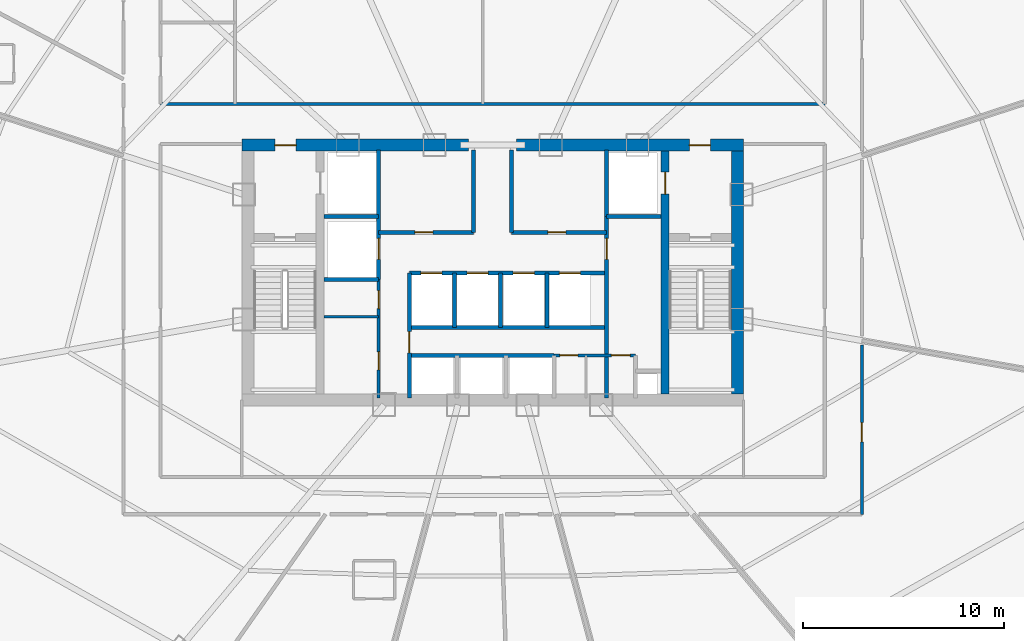
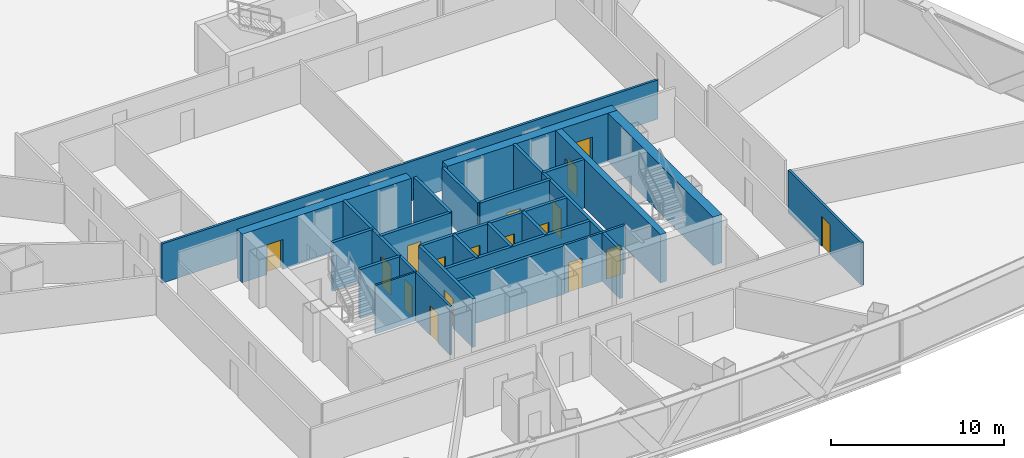
# One storey, part 36 of 42: 26 walls, 17 doors, 17 openings.
"""IFC4 building model written with IfcOpenShell, lengths in metres."""

import ifcopenshell
import ifcopenshell.guid

model = None  # the IFC model being written
_history = None  # IfcOwnerHistory: only IFC2X3 demands one
_inside = {}  # id of a spatial element -> (the spatial element, [elements in it])
_under = {}  # id of a project, library or spatial element -> (it, [spatial elements below it])
_declared = {}  # id of a project -> (the project, [libraries it declares])
_typed = {}  # id of a type object -> (the type object, [elements of that type])
_made_of = {}  # id of a material, layer set ... -> (it, [elements and type objects made of it])


def new_model(schema):
    """Start an empty IFC model of exactly this schema.

    Asked for "IFC4X3", IfcOpenShell would pick the latest addendum, in which some entities
    have other attributes; the version numbers below select the first issue.
    IFC2X3 requires an IfcOwnerHistory on every rooted entity: one is made here for all.
    """
    global model, _history
    if schema == "IFC4X3":
        model = ifcopenshell.file(schema_version=(4, 3, 0, 0))
    else:
        model = ifcopenshell.file(schema=schema)
    _inside.clear()
    _under.clear()
    _declared.clear()
    _typed.clear()
    _made_of.clear()
    _history = None
    if model.schema == "IFC2X3":
        org = make("IfcOrganization", Name="unknown")
        user = make(
            "IfcPersonAndOrganization",
            ThePerson=make("IfcPerson", FamilyName="unknown"),
            TheOrganization=org,
        )
        app = make(
            "IfcApplication",
            ApplicationDeveloper=org,
            Version="unknown",
            ApplicationFullName="unknown",
            ApplicationIdentifier="unknown",
        )
        _history = make(
            "IfcOwnerHistory",
            OwningUser=user,
            OwningApplication=app,
            ChangeAction="ADDED",
            CreationDate=0,
        )
    return model


def make(cls, **values):
    """One entity of the class cls with the attributes given. An attribute that is None is left unset."""
    return model.create_entity(
        cls, **{name: value for name, value in values.items() if value is not None}
    )


def rooted(cls, **values):
    """An entity with a GlobalId (a new one), such as an element, a storey or a relation."""
    return make(cls, GlobalId=ifcopenshell.guid.new(), OwnerHistory=_history, **values)


def si_unit(unit_type, name, prefix=None):
    """IfcSIUnit, for example si_unit("LENGTHUNIT", "METRE", prefix="MILLI")."""
    return make("IfcSIUnit", UnitType=unit_type, Prefix=prefix, Name=name)


def assignment(units):
    """IfcUnitAssignment: the units of a project."""
    return None if units is None else make("IfcUnitAssignment", Units=units)


def point(xyz):
    """IfcCartesianPoint."""
    return None if xyz is None else make("IfcCartesianPoint", Coordinates=xyz)


def direction(xyz):
    """IfcDirection."""
    return None if xyz is None else make("IfcDirection", DirectionRatios=xyz)


def frame(location, z_axis=None, x_axis=None):
    """IfcAxis2Placement3D, a coordinate frame: its origin and axes. An axis left out is left unset."""
    return make(
        "IfcAxis2Placement3D",
        Location=point(location),
        Axis=direction(z_axis),
        RefDirection=direction(x_axis),
    )


def frame_2d(location, x_axis=None):
    """IfcAxis2Placement2D, a coordinate frame in the plane: its origin and x axis."""
    return make(
        "IfcAxis2Placement2D", Location=point(location), RefDirection=direction(x_axis)
    )


def origin():
    """The frame at (0, 0, 0) with its axes left unset."""
    return frame((0.0, 0.0, 0.0))


def origin_with_axes():
    """The frame at (0, 0, 0) with the z axis (0, 0, 1) and the x axis (1, 0, 0) written out."""
    return frame((0.0, 0.0, 0.0), z_axis=(0.0, 0.0, 1.0), x_axis=(1.0, 0.0, 0.0))


def place(relative_to, where):
    """IfcLocalPlacement: puts the frame where relative to a parent placement (None: the world)."""
    return make(
        "IfcLocalPlacement", PlacementRelTo=relative_to, RelativePlacement=where
    )


def context(
    kind, dimensions, precision=None, world=None, true_north=None, identifier=None
):
    """IfcGeometricRepresentationContext, for example the 3D "Model" context."""
    return make(
        "IfcGeometricRepresentationContext",
        ContextIdentifier=identifier,
        ContextType=kind,
        CoordinateSpaceDimension=dimensions,
        Precision=precision,
        WorldCoordinateSystem=world,
        TrueNorth=true_north,
    )


def subcontext(parent, identifier, kind, view, scale=None):
    """IfcGeometricRepresentationSubContext, for example "Body" below "Model"."""
    return make(
        "IfcGeometricRepresentationSubContext",
        ContextIdentifier=identifier,
        ContextType=kind,
        ParentContext=parent,
        TargetScale=scale,
        TargetView=view,
    )


def project(units=None, contexts=None):
    """IfcProject with its units and contexts."""
    return rooted(
        "IfcProject",
        Name="project",
        RepresentationContexts=contexts,
        UnitsInContext=assignment(units),
    )


def spatial(cls, under=None, at=None, **own):
    """A site, building, storey or space (cls), placed at a placement, below another one or the project."""
    s = rooted(cls, ObjectPlacement=at, **own)
    if under is not None:
        _under.setdefault(under.id(), (under, []))[1].append(s)
    return s


def profile(cls, at=None, kind="AREA", **sizes):
    """A parametric profile (cls). Its sizes go by their IFC names, for example OverallWidth=200.0."""
    return make(cls, ProfileType=kind, Position=at, **sizes)


def rectangle(**sizes):
    """IfcRectangleProfileDef."""
    return profile("IfcRectangleProfileDef", **sizes)


def extrude(swept, where, along, depth):
    """IfcExtrudedAreaSolid: the profile swept, set in the frame where, extruded along a direction by depth."""
    return make(
        "IfcExtrudedAreaSolid",
        SweptArea=swept,
        Position=where,
        ExtrudedDirection=direction(along),
        Depth=depth,
    )


def shape(context_of_items, identifier, shape_type, items):
    """IfcShapeRepresentation: the items that make up one representation, for example the "Body"."""
    return make(
        "IfcShapeRepresentation",
        ContextOfItems=context_of_items,
        RepresentationIdentifier=identifier,
        RepresentationType=shape_type,
        Items=items,
    )


def source(mapping_origin, context_of_items, identifier, shape_type, items):
    """IfcRepresentationMap: a shape defined once, which mapped items show again and again."""
    return make(
        "IfcRepresentationMap",
        MappingOrigin=mapping_origin,
        MappedRepresentation=shape(context_of_items, identifier, shape_type, items),
    )


def transform(
    local_origin,
    x_axis=None,
    y_axis=None,
    z_axis=None,
    scale=None,
    scale2=None,
    scale3=None,
    uniform=True,
):
    """IfcCartesianTransformationOperator3D, or its non-uniform kind. x_axis, y_axis, z_axis: its Axis1, 2, 3."""
    if uniform:
        return make(
            "IfcCartesianTransformationOperator3D",
            Axis1=direction(x_axis),
            Axis2=direction(y_axis),
            LocalOrigin=point(local_origin),
            Scale=scale,
            Axis3=direction(z_axis),
        )
    return make(
        "IfcCartesianTransformationOperator3DnonUniform",
        Axis1=direction(x_axis),
        Axis2=direction(y_axis),
        LocalOrigin=point(local_origin),
        Scale=scale,
        Axis3=direction(z_axis),
        Scale2=scale2,
        Scale3=scale3,
    )


def mapped(mapping_source, mapping_target):
    """IfcMappedItem: shows the shape of a source again, moved by a transform."""
    return make(
        "IfcMappedItem", MappingSource=mapping_source, MappingTarget=mapping_target
    )


def material(Name=None, Category=None):
    """IfcMaterial."""
    return make("IfcMaterial", Name=Name, Category=Category)


def layer(
    of_material, thickness, ventilated=None, Name=None, Category=None, Priority=None
):
    """IfcMaterialLayer: one layer of a wall or slab, of a material (None: an air gap)."""
    return make(
        "IfcMaterialLayer",
        Material=of_material,
        LayerThickness=thickness,
        IsVentilated=ventilated,
        Name=Name,
        Category=Category,
        Priority=Priority,
    )


def layer_set(layers, Name=None):
    """IfcMaterialLayerSet."""
    return make("IfcMaterialLayerSet", MaterialLayers=layers, LayerSetName=Name)


def made_of(thing, what):
    """Note that an element or type object is made of a material, layer set ...; save() writes the relation."""
    if what is not None:
        _made_of.setdefault(what.id(), (what, []))[1].append(thing)
    return thing


def type_object(cls, material=None, **own):
    """A type object (cls), such as IfcWallType, which elements share."""
    return made_of(rooted(cls, **own), material)


def element(
    cls,
    number,
    at=None,
    inside=None,
    cuts=None,
    type_object=None,
    material=None,
    context=None,
    identifier="Body",
    shape_type=None,
    held_by="IfcProductDefinitionShape",
    body=None,
    shapes=None,
    **own,
):
    """One element of the class cls, such as IfcWall. Its Tag is "e" and its number.

    at: its placement. inside: the storey or other place that contains it. cuts: it is an
    opening in that element (IfcRelVoidsElement). A single representation is given by context,
    identifier, shape_type and body (its items); several are given by shapes. held_by: the class
    of the entity that holds the representations. save() writes the other relations.
    """
    e = rooted(cls, Tag="e%d" % number, ObjectPlacement=at, **own)
    if body is not None:
        shapes = [shape(context, identifier, shape_type, body)]
    if shapes is not None:
        e.Representation = make(held_by, Representations=shapes)
    if inside is not None:
        _inside.setdefault(inside.id(), (inside, []))[1].append(e)
    if cuts is not None:
        rooted(
            "IfcRelVoidsElement", RelatingBuildingElement=cuts, RelatedOpeningElement=e
        )
    if type_object is not None:
        _typed.setdefault(type_object.id(), (type_object, []))[1].append(e)
    return made_of(e, material)


def fill(opening, filler):
    """IfcRelFillsElement: the door or window that sits in an opening."""
    return rooted(
        "IfcRelFillsElement",
        RelatingOpeningElement=opening,
        RelatedBuildingElement=filler,
    )


def aggregate(whole, parts):
    """IfcRelAggregates: a whole, such as a stair, and the parts it consists of."""
    return rooted("IfcRelAggregates", RelatingObject=whole, RelatedObjects=parts)


def save(model, path):
    """Write the relations noted so far, then the file.

    IfcRelAggregates (storeys below a building ...), IfcRelContainedInSpatialStructure (elements
    in a storey), IfcRelDefinesByType, IfcRelAssociatesMaterial and IfcRelDeclares: one each for
    every whole, place, type object, material and project.
    """
    for whole, parts in _under.values():
        aggregate(whole, parts)
    for where, things in _inside.values():
        rooted(
            "IfcRelContainedInSpatialStructure",
            RelatedElements=things,
            RelatingStructure=where,
        )
    for kind, things in _typed.values():
        rooted("IfcRelDefinesByType", RelatedObjects=things, RelatingType=kind)
    for what, things in _made_of.values():
        rooted("IfcRelAssociatesMaterial", RelatedObjects=things, RelatingMaterial=what)
    for by, libraries in _declared.values():
        rooted("IfcRelDeclares", RelatingContext=by, RelatedDefinitions=libraries)
    model.write(path)


model = new_model("IFC4")

# Units and contexts
model_context = context("Model", 3, precision=1e-05, world=origin(), true_north=direction((0.0, 1.0)))
body_context = subcontext(model_context, "Body", "Model", "MODEL_VIEW")
ifc_project = project(units=[si_unit("LENGTHUNIT", "METRE"), si_unit("AREAUNIT", "SQUARE_METRE"), si_unit("VOLUMEUNIT", "CUBIC_METRE"), si_unit("PLANEANGLEUNIT", "RADIAN"), si_unit("MASSUNIT", "GRAM", prefix="KILO"), si_unit("THERMODYNAMICTEMPERATUREUNIT", "KELVIN"), si_unit("POWERUNIT", "WATT")], contexts=[model_context])

# Site, building, storey
site_placement = place(None, origin())
site = spatial("IfcSite", under=ifc_project, at=site_placement, CompositionType="ELEMENT")
building_placement = place(site_placement, origin())
building = spatial("IfcBuilding", under=site, at=building_placement, Name="Yunzhuo Pagoda Commons", CompositionType="ELEMENT")
storey_placement = place(building_placement, frame((0.0, 0.0, 151.909912109375)))
storey = spatial("IfcBuildingStorey", under=building, at=storey_placement, Name="L38", CompositionType="ELEMENT", Elevation=151.909912109375)

# Wall, opening, door
ifc_material_1 = material(Name="Concrete C60", Category="concrete")
ifc_layer_1 = layer(ifc_material_1, 0.60009765625)
ifc_layer_set_1 = layer_set([ifc_layer_1], Name="Concrete C60")
wall_type_1 = type_object("IfcWallType", Name="W-C02 Mid Core Shear Wall 600", PredefinedType="SHEAR", material=ifc_layer_set_1)
wall_1_placement = place(storey_placement, frame((35.5, 40.199951171875, 0.0), z_axis=(0.0, 0.0, 1.0), x_axis=(1.0, 0.0, 0.0)))
wall_1 = element("IfcWall", 1, at=wall_1_placement, inside=storey, type_object=wall_type_1, Name="L38 core shear wall NW", PredefinedType="SHEAR", context=body_context, shape_type="SweptSolid", body=[
    extrude(rectangle(XDim=11.300048828125, YDim=0.60009765625, at=frame_2d((5.64990234375, 0.0))), origin(), (0.0, 0.0, 1.0), 3.420166015625),
])
opening_1_placement = place(wall_1_placement, frame((1.64990234375, 0.0, 0.0)))
opening_1 = element("IfcOpeningElement", 2, at=opening_1_placement, cuts=wall_1, Name="Opening D-02", PredefinedType="OPENING", context=body_context, shape_type="SweptSolid", body=[
    extrude(rectangle(XDim=1.050048828125, YDim=2.10009765625, at=frame_2d((0.52490234375, 1.050048828125))), frame((0.0, 0.31005859375, 0.0), z_axis=(0.0, -1.0, 0.0), x_axis=(1.0, 0.0, 0.0)), (0.0, 0.0, 1.0), 0.6201171875),
])
ifc_material_2 = material(Name="Galvanized fire-resisting metal leaf")
door_type_1 = type_object("IfcDoorType", Name="D-02 Firefighting Lobby & Refuge Fire Door 1050x2100", OperationType="NOTDEFINED", PredefinedType="DOOR", material=ifc_material_2)
shared_shape_1 = source(origin(), body_context, "Body", "SweptSolid", [
    extrude(rectangle(XDim=1.050048828125, YDim=2.10009765625, at=frame_2d((0.52490234375, 1.050048828125))), frame((0.0, 0.02490234375, 0.0), z_axis=(0.0, -1.0, 0.0), x_axis=(1.0, 0.0, 0.0)), (0.0, 0.0, 1.0), 0.050048828125),
])
door_1_placement = place(opening_1_placement, frame((1.050048828125, 0.0, 0.0), z_axis=(0.0, 0.0, 1.0), x_axis=(-1.0, 0.0, 0.0)))
door_1 = element("IfcDoor", 3, at=door_1_placement, inside=storey, type_object=door_type_1, Name="L38 Firefighting Lobby 1 fire door", OperationType="SINGLE_SWING_LEFT", OverallHeight=2.10009765625, OverallWidth=1.050048828125, PredefinedType="DOOR", context=body_context, shape_type="MappedRepresentation", body=[
    mapped(shared_shape_1, transform((0.0, 0.0, 0.0), scale=1.0)),
])
fill(opening_1, door_1)

wall_2_placement = place(storey_placement, frame((49.199951171875, 40.199951171875, 0.0), z_axis=(0.0, 0.0, 1.0), x_axis=(1.0, 0.0, 0.0)))
wall_2 = element("IfcWall", 4, at=wall_2_placement, inside=storey, type_object=wall_type_1, Name="L38 core shear wall NE", PredefinedType="SHEAR", context=body_context, shape_type="SweptSolid", body=[
    extrude(rectangle(XDim=11.300048828125, YDim=0.60009765625, at=frame_2d((5.64990234375, 0.0))), origin(), (0.0, 0.0, 1.0), 3.420166015625),
])
opening_2_placement = place(wall_2_placement, frame((8.60009765625, 0.0, 0.0)))
opening_2 = element("IfcOpeningElement", 5, at=opening_2_placement, cuts=wall_2, Name="Opening D-02", PredefinedType="OPENING", context=body_context, shape_type="SweptSolid", body=[
    extrude(rectangle(XDim=1.050048828125, YDim=2.10009765625, at=frame_2d((0.52490234375, 1.050048828125))), frame((0.0, 0.31005859375, 0.0), z_axis=(0.0, -1.0, 0.0), x_axis=(1.0, 0.0, 0.0)), (0.0, 0.0, 1.0), 0.6201171875),
])
door_2_placement = place(opening_2_placement, frame((1.050048828125, 0.0, 0.0), z_axis=(0.0, 0.0, 1.0), x_axis=(-1.0, 0.0, 0.0)))
door_2 = element("IfcDoor", 6, at=door_2_placement, inside=storey, type_object=door_type_1, Name="L38 Firefighting Lobby 2 fire door", OperationType="SINGLE_SWING_RIGHT", OverallHeight=2.10009765625, OverallWidth=1.050048828125, PredefinedType="DOOR", context=body_context, shape_type="MappedRepresentation", body=[
    mapped(shared_shape_1, transform((0.0, 0.0, 0.0), scale=1.0)),
])
fill(opening_2, door_2)

# Wall
wall_3_placement = place(storey_placement, frame((60.199951171875, 27.800048828125, 0.0), z_axis=(0.0, 0.0, 1.0), x_axis=(0.0, 1.0, 0.0)))
element("IfcWall", 7, at=wall_3_placement, inside=storey, type_object=wall_type_1, Name="L38 core shear wall E", PredefinedType="SHEAR", context=body_context, shape_type="SweptSolid", body=[
    extrude(rectangle(XDim=12.099853515625, YDim=0.60009765625, at=frame_2d((6.0498046875, 0.0))), origin(), (0.0, 0.0, 1.0), 3.420166015625),
])

# Wall, openings, doors
ifc_material_3 = material(Name="Gypsum plasterboard on acoustic stud")
ifc_layer_2 = layer(ifc_material_3, 0.155029296875)
ifc_layer_set_2 = layer_set([ifc_layer_2], Name="Gypsum plasterboard on acoustic stud")
wall_type_2 = type_object("IfcWallType", Name="W-COR2 Mid-Zone Rated Corridor Wall 155", PredefinedType="PARTITIONING", material=ifc_layer_set_2)
wall_4_placement = place(storey_placement, frame((42.320068359375, 27.60009765625, 0.0), z_axis=(0.0, 0.0, 1.0), x_axis=(0.0, 1.0, 0.0)))
wall_4 = element("IfcWall", 8, at=wall_4_placement, inside=storey, type_object=wall_type_2, Name="L38 interior wall IW-L38-CSWE", PredefinedType="PARTITIONING", context=body_context, shape_type="SweptSolid", body=[
    extrude(rectangle(XDim=5.89990234375, YDim=0.155029296875, at=frame_2d((2.949951171875, 0.0))), origin(), (0.0, 0.0, 1.0), 3.420166015625),
])
opening_3_placement = place(wall_4_placement, frame((1.39990234375, 0.0, 0.0)))
opening_3 = element("IfcOpeningElement", 9, at=opening_3_placement, cuts=wall_4, Name="Opening D-03", PredefinedType="OPENING", context=body_context, shape_type="SweptSolid", body=[
    extrude(rectangle(XDim=0.89990234375, YDim=2.10009765625, at=frame_2d((0.449951171875, 1.050048828125))), frame((0.0, 0.08740234375, 0.0), z_axis=(0.0, -1.0, 0.0), x_axis=(1.0, 0.0, 0.0)), (0.0, 0.0, 1.0), 0.175048828125),
])
opening_4_placement = place(wall_4_placement, frame((4.449951171875, 0.0, 0.0)))
opening_4 = element("IfcOpeningElement", 10, at=opening_4_placement, cuts=wall_4, Name="Opening D-03", PredefinedType="OPENING", context=body_context, shape_type="SweptSolid", body=[
    extrude(rectangle(XDim=0.89990234375, YDim=2.10009765625, at=frame_2d((0.449951171875, 1.050048828125))), frame((0.0, 0.08740234375, 0.0), z_axis=(0.0, -1.0, 0.0), x_axis=(1.0, 0.0, 0.0)), (0.0, 0.0, 1.0), 0.175048828125),
])
door_type_2 = type_object("IfcDoorType", Name="D-03 Core Service Fire Door 900x2100", OperationType="NOTDEFINED", PredefinedType="DOOR", material=ifc_material_2)
shared_shape_2 = source(origin(), body_context, "Body", "SweptSolid", [
    extrude(rectangle(XDim=0.89990234375, YDim=2.10009765625, at=frame_2d((0.449951171875, 1.050048828125))), frame((0.0, 0.02490234375, 0.0), z_axis=(0.0, -1.0, 0.0), x_axis=(1.0, 0.0, 0.0)), (0.0, 0.0, 1.0), 0.050048828125),
])
door_3_placement = place(opening_3_placement, origin_with_axes())
door_3 = element("IfcDoor", 11, at=door_3_placement, inside=storey, type_object=door_type_2, Name="L38 service store door", OperationType="SINGLE_SWING_LEFT", OverallHeight=2.10009765625, OverallWidth=0.89990234375, PredefinedType="DOOR", context=body_context, shape_type="MappedRepresentation", body=[
    mapped(shared_shape_2, transform((0.0, 0.0, 0.0), scale=1.0)),
])
fill(opening_3, door_3)
door_4_placement = place(opening_4_placement, origin_with_axes())
door_4 = element("IfcDoor", 12, at=door_4_placement, inside=storey, type_object=door_type_2, Name="L38 switch closet door", OperationType="SINGLE_SWING_RIGHT", OverallHeight=2.10009765625, OverallWidth=0.89990234375, PredefinedType="DOOR", context=body_context, shape_type="MappedRepresentation", body=[
    mapped(shared_shape_2, transform((0.0, 0.0, 0.0), scale=1.0)),
])
fill(opening_4, door_4)

wall_5_placement = place(storey_placement, frame((51.050048828125, 29.719970703125, 0.0), z_axis=(0.0, 0.0, 1.0), x_axis=(1.0, 0.0, 0.0)))
wall_5 = element("IfcWall", 13, at=wall_5_placement, inside=storey, type_object=wall_type_2, Name="L38 interior wall IW-L38-CSES", PredefinedType="PARTITIONING", context=body_context, shape_type="SweptSolid", body=[
    extrude(rectangle(XDim=4.070068359375, YDim=0.155029296875, at=frame_2d((2.03515625, 0.0))), origin(), (0.0, 0.0, 1.0), 3.420166015625),
])
opening_5_placement = place(wall_5_placement, frame((0.300048828125, 0.0, 0.0)))
opening_5 = element("IfcOpeningElement", 14, at=opening_5_placement, cuts=wall_5, Name="Opening D-03", PredefinedType="OPENING", context=body_context, shape_type="SweptSolid", body=[
    extrude(rectangle(XDim=0.89990234375, YDim=2.10009765625, at=frame_2d((0.449951171875, 1.050048828125))), frame((0.0, 0.08740234375, 0.0), z_axis=(0.0, -1.0, 0.0), x_axis=(1.0, 0.0, 0.0)), (0.0, 0.0, 1.0), 0.175048828125),
])
opening_6_placement = place(wall_5_placement, frame((2.860107421875, 0.0, 0.0)))
opening_6 = element("IfcOpeningElement", 15, at=opening_6_placement, cuts=wall_5, Name="Opening D-11", PredefinedType="OPENING", context=body_context, shape_type="SweptSolid", body=[
    extrude(rectangle(XDim=0.93994140625, YDim=2.10009765625, at=frame_2d((0.469970703125, 1.050048828125))), frame((0.0, 0.08740234375, 0.0), z_axis=(0.0, -1.0, 0.0), x_axis=(1.0, 0.0, 0.0)), (0.0, 0.0, 1.0), 0.175048828125),
])
door_5_placement = place(opening_5_placement, origin_with_axes())
door_5 = element("IfcDoor", 16, at=door_5_placement, inside=storey, type_object=door_type_2, Name="L38 cleaner door", OperationType="SINGLE_SWING_LEFT", OverallHeight=2.10009765625, OverallWidth=0.89990234375, PredefinedType="DOOR", context=body_context, shape_type="MappedRepresentation", body=[
    mapped(shared_shape_2, transform((0.0, 0.0, 0.0), scale=1.0)),
])
fill(opening_5, door_5)
door_type_3 = type_object("IfcDoorType", Name="D-11 Accessible Washroom Fire Door 940x2100", OperationType="NOTDEFINED", PredefinedType="DOOR", material=ifc_material_2)
shared_shape_3 = source(origin(), body_context, "Body", "SweptSolid", [
    extrude(rectangle(XDim=0.93994140625, YDim=2.10009765625, at=frame_2d((0.469970703125, 1.050048828125))), frame((0.0, 0.02490234375, 0.0), z_axis=(0.0, -1.0, 0.0), x_axis=(1.0, 0.0, 0.0)), (0.0, 0.0, 1.0), 0.050048828125),
])
door_6_placement = place(opening_6_placement, origin_with_axes())
door_6 = element("IfcDoor", 17, at=door_6_placement, inside=storey, type_object=door_type_3, Name="L38 core WC door", OperationType="SINGLE_SWING_RIGHT", OverallHeight=2.10009765625, OverallWidth=0.93994140625, PredefinedType="DOOR", context=body_context, shape_type="MappedRepresentation", body=[
    mapped(shared_shape_3, transform((0.0, 0.0, 0.0), scale=1.0)),
])
fill(opening_6, door_6)

# Wall
wall_6_placement = place(storey_placement, frame((31.449951171875, 42.25, 0.0), z_axis=(0.0, 0.0, 1.0), x_axis=(1.0, 0.0, 0.0)))
element("IfcWall", 18, at=wall_6_placement, inside=storey, type_object=wall_type_2, Name="L38 interior wall IW-L38-MCNS", PredefinedType="PARTITIONING", context=body_context, shape_type="SweptSolid", body=[
    extrude(rectangle(XDim=33.10009765625, YDim=0.155029296875, at=frame_2d((16.550048828125, 0.0))), origin(), (0.0, 0.0, 1.0), 2.77001953125),
])

# Wall, opening, door
wall_7_placement = place(storey_placement, frame((66.39990234375, 30.232177734375, 0.0), z_axis=(0.0, 0.0, 1.0), x_axis=(0.0, -1.0, 0.0)))
wall_7 = element("IfcWall", 19, at=wall_7_placement, inside=storey, type_object=wall_type_2, Name="L38 interior wall IW-L38-CWL12", PredefinedType="PARTITIONING", context=body_context, shape_type="SweptSolid", body=[
    extrude(rectangle(XDim=8.43212890625, YDim=0.155029296875, at=frame_2d((4.216064453125, 0.0))), origin(), (0.0, 0.0, 1.0), 3.02001953125),
])
opening_7_placement = place(wall_7_placement, frame((3.859375, 0.0, 0.0)))
opening_7 = element("IfcOpeningElement", 20, at=opening_7_placement, cuts=wall_7, Name="Opening D-07", PredefinedType="OPENING", context=body_context, shape_type="SweptSolid", body=[
    extrude(rectangle(XDim=0.9599609375, YDim=2.1201171875, at=frame_2d((0.47998046875, 1.06005859375))), frame((0.0, 0.08740234375, 0.0), z_axis=(0.0, -1.0, 0.0), x_axis=(1.0, 0.0, 0.0)), (0.0, 0.0, 1.0), 0.175048828125),
])
door_type_4 = type_object("IfcDoorType", Name="D-07 Mid-Zone Suite Entrance Fire Door 960x2120", OperationType="NOTDEFINED", PredefinedType="DOOR", material=ifc_material_2)
shared_shape_4 = source(origin(), body_context, "Body", "SweptSolid", [
    extrude(rectangle(XDim=0.9599609375, YDim=2.1201171875, at=frame_2d((0.47998046875, 1.06005859375))), frame((0.0, 0.02490234375, 0.0), z_axis=(0.0, -1.0, 0.0), x_axis=(1.0, 0.0, 0.0)), (0.0, 0.0, 1.0), 0.050048828125),
])
door_7_placement = place(opening_7_placement, origin_with_axes())
door_7 = element("IfcDoor", 21, at=door_7_placement, inside=storey, type_object=door_type_4, Name="L38 unit 13 entrance door", OperationType="SINGLE_SWING_LEFT", OverallHeight=2.1201171875, OverallWidth=0.9599609375, PredefinedType="DOOR", context=body_context, shape_type="MappedRepresentation", body=[
    mapped(shared_shape_4, transform((0.0, 0.0, 0.0), scale=1.0)),
])
fill(opening_7, door_7)

# Wall
ifc_layer_3 = layer(ifc_material_3, 0.1201171875)
ifc_layer_set_3 = layer_set([ifc_layer_3], Name="Gypsum plasterboard on acoustic stud")
wall_type_3 = type_object("IfcWallType", Name="W-PRT1 Suite & Bathroom Partition 120", PredefinedType="PARTITIONING", material=ifc_layer_set_3)
wall_8_placement = place(storey_placement, frame((39.60009765625, 31.64990234375, 0.0), z_axis=(0.0, 0.0, 1.0), x_axis=(1.0, 0.0, 0.0)))
element("IfcWall", 22, at=wall_8_placement, inside=storey, type_object=wall_type_3, Name="L38 interior wall IW-L38-CD1", PredefinedType="PARTITIONING", context=body_context, shape_type="SweptSolid", body=[
    extrude(rectangle(XDim=2.719970703125, YDim=0.1201171875, at=frame_2d((1.35986328125, 0.0))), origin(), (0.0, 0.0, 1.0), 3.420166015625),
])

# Wall, opening, door
ifc_layer_4 = layer(ifc_material_1, 0.39990234375)
ifc_layer_set_4 = layer_set([ifc_layer_4], Name="Concrete C60")
wall_type_4 = type_object("IfcWallType", Name="W-S01 Internal Core Shear Web 400", PredefinedType="SHEAR", material=ifc_layer_set_4)
wall_9_placement = place(storey_placement, frame((56.60009765625, 27.800048828125, 0.0), z_axis=(0.0, 0.0, 1.0), x_axis=(0.0, 1.0, 0.0)))
wall_9 = element("IfcWall", 23, at=wall_9_placement, inside=storey, type_object=wall_type_4, Name="L38 core shear wall WEBE", PredefinedType="SHEAR", context=body_context, shape_type="SweptSolid", body=[
    extrude(rectangle(XDim=12.099853515625, YDim=0.39990234375, at=frame_2d((6.0498046875, 0.0))), origin(), (0.0, 0.0, 1.0), 3.420166015625),
])
opening_8_placement = place(wall_9_placement, frame((9.949951171875, 0.0, 0.0)))
opening_8 = element("IfcOpeningElement", 24, at=opening_8_placement, cuts=wall_9, Name="Opening LD-01", PredefinedType="OPENING", context=body_context, shape_type="SweptSolid", body=[
    extrude(rectangle(XDim=1.10009765625, YDim=2.10009765625, at=frame_2d((0.550048828125, 1.050048828125))), frame((0.0, 0.2099609375, 0.0), z_axis=(0.0, -1.0, 0.0), x_axis=(1.0, 0.0, 0.0)), (0.0, 0.0, 1.0), 0.419921875),
])
door_type_5 = type_object("IfcDoorType", Name="LD-01 Firefighting Lift Landing Door 1100x2100", OperationType="DOUBLE_DOOR_SLIDING", PredefinedType="DOOR", material=ifc_material_2)
shared_shape_5 = source(origin(), body_context, "Body", "SweptSolid", [
    extrude(rectangle(XDim=1.10009765625, YDim=2.10009765625, at=frame_2d((0.550048828125, 1.050048828125))), frame((0.0, 0.02490234375, 0.0), z_axis=(0.0, -1.0, 0.0), x_axis=(1.0, 0.0, 0.0)), (0.0, 0.0, 1.0), 0.050048828125),
])
door_8_placement = place(opening_8_placement, origin_with_axes())
door_8 = element("IfcDoor", 25, at=door_8_placement, inside=storey, type_object=door_type_5, Name="L38 Firefighting lift FL-2 landing door", OperationType="DOUBLE_DOOR_SLIDING", OverallHeight=2.10009765625, OverallWidth=1.10009765625, PredefinedType="DOOR", context=body_context, shape_type="MappedRepresentation", body=[
    mapped(shared_shape_5, transform((0.0, 0.0, 0.0), scale=1.0)),
])
fill(opening_8, door_8)

ifc_material_4 = material(Name="Concrete C40", Category="concrete")
ifc_layer_5 = layer(ifc_material_4, 0.199951171875)
ifc_layer_set_5 = layer_set([ifc_layer_5], Name="Concrete C40")
wall_type_5 = type_object("IfcWallType", Name="W-SHF Shaft & Stair Enclosure Wall 200", PredefinedType="SOLIDWALL", material=ifc_layer_set_5)
wall_10_placement = place(storey_placement, frame((42.320068359375, 33.5, 0.0), z_axis=(0.0, 0.0, 1.0), x_axis=(0.0, 1.0, 0.0)))
wall_10 = element("IfcWall", 26, at=wall_10_placement, inside=storey, type_object=wall_type_5, Name="L38 interior wall IW-L38-FL1E", PredefinedType="SOLIDWALL", context=body_context, shape_type="SweptSolid", body=[
    extrude(rectangle(XDim=6.449951171875, YDim=0.199951171875, at=frame_2d((3.22509765625, 0.0))), origin(), (0.0, 0.0, 1.0), 3.420166015625),
])
opening_9_placement = place(wall_10_placement, frame((1.0, 0.0, 0.0)))
opening_9 = element("IfcOpeningElement", 27, at=opening_9_placement, cuts=wall_10, Name="Opening LD-02", PredefinedType="OPENING", context=body_context, shape_type="SweptSolid", body=[
    extrude(rectangle(XDim=1.050048828125, YDim=2.10009765625, at=frame_2d((0.52490234375, 1.050048828125))), frame((0.0, 0.10986328125, 0.0), z_axis=(0.0, -1.0, 0.0), x_axis=(1.0, 0.0, 0.0)), (0.0, 0.0, 1.0), 0.219970703125),
])
door_type_6 = type_object("IfcDoorType", Name="LD-02 Passenger Lift Landing Door 1050x2100", OperationType="DOUBLE_DOOR_SLIDING", PredefinedType="DOOR", material=ifc_material_2)
door_9_placement = place(opening_9_placement, origin_with_axes())
door_9 = element("IfcDoor", 28, at=door_9_placement, inside=storey, type_object=door_type_6, Name="L38 Service lift SL-1 landing door", OperationType="DOUBLE_DOOR_SLIDING", OverallHeight=2.10009765625, OverallWidth=1.050048828125, PredefinedType="DOOR", context=body_context, shape_type="MappedRepresentation", body=[
    mapped(shared_shape_1, transform((0.0, 0.0, 0.0), scale=1.0)),
])
fill(opening_9, door_9)

# Walls
for number, where, z_axis, x_axis, name in (
    (29, (39.60009765625, 36.64990234375, 0.0), (0.0, 0.0, 1.0), (1.0, 0.0, 0.0), "L38 interior wall IW-L38-FL1S"),
    (30, (39.60009765625, 33.5, 0.0), (0.0, 0.0, 1.0), (1.0, 0.0, 0.0), "L38 interior wall IW-L38-SL1S"),
):
    element("IfcWall", number, at=place(storey_placement, frame(where, z_axis=z_axis, x_axis=x_axis)), inside=storey, type_object=wall_type_5, Name=name, PredefinedType="SOLIDWALL", context=body_context, shape_type="SweptSolid", body=[
        extrude(rectangle(XDim=2.719970703125, YDim=0.199951171875, at=frame_2d((1.35986328125, 0.0))), origin(), (0.0, 0.0, 1.0), 3.420166015625),
    ])
wall_11_placement = place(storey_placement, frame((53.679931640625, 36.64990234375, 0.0), z_axis=(0.0, 0.0, 1.0), x_axis=(0.0, 1.0, 0.0)))
element("IfcWall", 31, at=wall_11_placement, inside=storey, type_object=wall_type_5, Name="L38 interior wall IW-L38-FL2W", PredefinedType="SOLIDWALL", context=body_context, shape_type="SweptSolid", body=[
    extrude(rectangle(XDim=3.300048828125, YDim=0.199951171875, at=frame_2d((1.64990234375, 0.0))), origin(), (0.0, 0.0, 1.0), 3.420166015625),
])
wall_12_placement = place(storey_placement, frame((53.679931640625, 36.64990234375, 0.0), z_axis=(0.0, 0.0, 1.0), x_axis=(1.0, 0.0, 0.0)))
element("IfcWall", 32, at=wall_12_placement, inside=storey, type_object=wall_type_5, Name="L38 interior wall IW-L38-FL2S", PredefinedType="SOLIDWALL", context=body_context, shape_type="SweptSolid", body=[
    extrude(rectangle(XDim=2.719970703125, YDim=0.199951171875, at=frame_2d((1.35986328125, 0.0))), origin(), (0.0, 0.0, 1.0), 3.420166015625),
])

# Wall, opening, door
wall_13_placement = place(storey_placement, frame((42.320068359375, 35.85009765625, 0.0), z_axis=(0.0, 0.0, 1.0), x_axis=(1.0, 0.0, 0.0)))
wall_13 = element("IfcWall", 33, at=wall_13_placement, inside=storey, type_object=wall_type_5, Name="L38 interior wall IW-L38-LBNW", PredefinedType="SOLIDWALL", context=body_context, shape_type="SweptSolid", body=[
    extrude(rectangle(XDim=4.72998046875, YDim=0.199951171875, at=frame_2d((2.364990234375, 0.0))), origin(), (0.0, 0.0, 1.0), 3.420166015625),
])
opening_10_placement = place(wall_13_placement, frame((1.800048828125, 0.0, 0.0)))
opening_10 = element("IfcOpeningElement", 34, at=opening_10_placement, cuts=wall_13, Name="Opening D-03", PredefinedType="OPENING", context=body_context, shape_type="SweptSolid", body=[
    extrude(rectangle(XDim=0.89990234375, YDim=2.10009765625, at=frame_2d((0.449951171875, 1.050048828125))), frame((0.0, 0.10986328125, 0.0), z_axis=(0.0, -1.0, 0.0), x_axis=(1.0, 0.0, 0.0)), (0.0, 0.0, 1.0), 0.219970703125),
])
door_10_placement = place(opening_10_placement, frame((0.89990234375, 0.0, 0.0), z_axis=(0.0, 0.0, 1.0), x_axis=(-1.0, 0.0, 0.0)))
door_10 = element("IfcDoor", 35, at=door_10_placement, inside=storey, type_object=door_type_2, Name="L38 core west store door", OperationType="SINGLE_SWING_LEFT", OverallHeight=2.10009765625, OverallWidth=0.89990234375, PredefinedType="DOOR", context=body_context, shape_type="MappedRepresentation", body=[
    mapped(shared_shape_2, transform((0.0, 0.0, 0.0), scale=1.0)),
])
fill(opening_10, door_10)

wall_14_placement = place(storey_placement, frame((48.949951171875, 35.85009765625, 0.0), z_axis=(0.0, 0.0, 1.0), x_axis=(1.0, 0.0, 0.0)))
wall_14 = element("IfcWall", 36, at=wall_14_placement, inside=storey, type_object=wall_type_5, Name="L38 interior wall IW-L38-LBNE", PredefinedType="SOLIDWALL", context=body_context, shape_type="SweptSolid", body=[
    extrude(rectangle(XDim=4.72998046875, YDim=0.199951171875, at=frame_2d((2.364990234375, 0.0))), origin(), (0.0, 0.0, 1.0), 3.420166015625),
])
opening_11_placement = place(wall_14_placement, frame((1.800048828125, 0.0, 0.0)))
opening_11 = element("IfcOpeningElement", 37, at=opening_11_placement, cuts=wall_14, Name="Opening D-03", PredefinedType="OPENING", context=body_context, shape_type="SweptSolid", body=[
    extrude(rectangle(XDim=0.89990234375, YDim=2.10009765625, at=frame_2d((0.449951171875, 1.050048828125))), frame((0.0, 0.10986328125, 0.0), z_axis=(0.0, -1.0, 0.0), x_axis=(1.0, 0.0, 0.0)), (0.0, 0.0, 1.0), 0.219970703125),
])
door_11_placement = place(opening_11_placement, frame((0.89990234375, 0.0, 0.0), z_axis=(0.0, 0.0, 1.0), x_axis=(-1.0, 0.0, 0.0)))
door_11 = element("IfcDoor", 38, at=door_11_placement, inside=storey, type_object=door_type_2, Name="L38 core east store door", OperationType="SINGLE_SWING_RIGHT", OverallHeight=2.10009765625, OverallWidth=0.89990234375, PredefinedType="DOOR", context=body_context, shape_type="MappedRepresentation", body=[
    mapped(shared_shape_2, transform((0.0, 0.0, 0.0), scale=1.0)),
])
fill(opening_11, door_11)

# Walls
for number, where, z_axis, x_axis, name in (
    (39, (47.050048828125, 35.85009765625, 0.0), (0.0, 0.0, 1.0), (0.0, 1.0, 0.0), "L38 interior wall IW-L38-THRW"),
    (40, (48.949951171875, 35.85009765625, 0.0), (0.0, 0.0, 1.0), (0.0, 1.0, 0.0), "L38 interior wall IW-L38-THRE"),
):
    element("IfcWall", number, at=place(storey_placement, frame(where, z_axis=z_axis, x_axis=x_axis)), inside=storey, type_object=wall_type_5, Name=name, PredefinedType="SOLIDWALL", context=body_context, shape_type="SweptSolid", body=[
        extrude(rectangle(XDim=4.099853515625, YDim=0.199951171875, at=frame_2d((2.0498046875, 0.0))), origin(), (0.0, 0.0, 1.0), 3.420166015625),
    ])

# Wall, openings, doors
wall_15_placement = place(storey_placement, frame((43.85009765625, 33.820068359375, 0.0), z_axis=(0.0, 0.0, 1.0), x_axis=(1.0, 0.0, 0.0)))
wall_15 = element("IfcWall", 41, at=wall_15_placement, inside=storey, type_object=wall_type_5, Name="L38 interior wall IW-L38-MLBS", PredefinedType="SOLIDWALL", context=body_context, shape_type="SweptSolid", body=[
    extrude(rectangle(XDim=9.829833984375, YDim=0.199951171875, at=frame_2d((4.9150390625, 0.0))), origin(), (0.0, 0.0, 1.0), 3.420166015625),
])
opening_12_placement = place(wall_15_placement, frame((0.574951171875, 0.0, 0.0)))
opening_12 = element("IfcOpeningElement", 42, at=opening_12_placement, cuts=wall_15, Name="Opening LD-02", PredefinedType="OPENING", context=body_context, shape_type="SweptSolid", body=[
    extrude(rectangle(XDim=1.050048828125, YDim=2.10009765625, at=frame_2d((0.52490234375, 1.050048828125))), frame((0.0, 0.10986328125, 0.0), z_axis=(0.0, -1.0, 0.0), x_axis=(1.0, 0.0, 0.0)), (0.0, 0.0, 1.0), 0.219970703125),
])
opening_13_placement = place(wall_15_placement, frame((2.875, 0.0, 0.0)))
opening_13 = element("IfcOpeningElement", 43, at=opening_13_placement, cuts=wall_15, Name="Opening LD-02", PredefinedType="OPENING", context=body_context, shape_type="SweptSolid", body=[
    extrude(rectangle(XDim=1.050048828125, YDim=2.10009765625, at=frame_2d((0.52490234375, 1.050048828125))), frame((0.0, 0.10986328125, 0.0), z_axis=(0.0, -1.0, 0.0), x_axis=(1.0, 0.0, 0.0)), (0.0, 0.0, 1.0), 0.219970703125),
])
opening_14_placement = place(wall_15_placement, frame((5.175048828125, 0.0, 0.0)))
opening_14 = element("IfcOpeningElement", 44, at=opening_14_placement, cuts=wall_15, Name="Opening LD-02", PredefinedType="OPENING", context=body_context, shape_type="SweptSolid", body=[
    extrude(rectangle(XDim=1.050048828125, YDim=2.10009765625, at=frame_2d((0.52490234375, 1.050048828125))), frame((0.0, 0.10986328125, 0.0), z_axis=(0.0, -1.0, 0.0), x_axis=(1.0, 0.0, 0.0)), (0.0, 0.0, 1.0), 0.219970703125),
])
opening_15_placement = place(wall_15_placement, frame((7.47509765625, 0.0, 0.0)))
opening_15 = element("IfcOpeningElement", 45, at=opening_15_placement, cuts=wall_15, Name="Opening LD-02", PredefinedType="OPENING", context=body_context, shape_type="SweptSolid", body=[
    extrude(rectangle(XDim=1.050048828125, YDim=2.10009765625, at=frame_2d((0.52490234375, 1.050048828125))), frame((0.0, 0.10986328125, 0.0), z_axis=(0.0, -1.0, 0.0), x_axis=(1.0, 0.0, 0.0)), (0.0, 0.0, 1.0), 0.219970703125),
])
door_12_placement = place(opening_12_placement, origin_with_axes())
door_12 = element("IfcDoor", 46, at=door_12_placement, inside=storey, type_object=door_type_6, Name="L38 Passenger lift PL-M1 landing door", OperationType="DOUBLE_DOOR_SLIDING", OverallHeight=2.10009765625, OverallWidth=1.050048828125, PredefinedType="DOOR", context=body_context, shape_type="MappedRepresentation", body=[
    mapped(shared_shape_1, transform((0.0, 0.0, 0.0), scale=1.0)),
])
fill(opening_12, door_12)
door_13_placement = place(opening_13_placement, origin_with_axes())
door_13 = element("IfcDoor", 47, at=door_13_placement, inside=storey, type_object=door_type_6, Name="L38 Passenger lift PL-M2 landing door", OperationType="DOUBLE_DOOR_SLIDING", OverallHeight=2.10009765625, OverallWidth=1.050048828125, PredefinedType="DOOR", context=body_context, shape_type="MappedRepresentation", body=[
    mapped(shared_shape_1, transform((0.0, 0.0, 0.0), scale=1.0)),
])
fill(opening_13, door_13)
door_14_placement = place(opening_14_placement, origin_with_axes())
door_14 = element("IfcDoor", 48, at=door_14_placement, inside=storey, type_object=door_type_6, Name="L38 Passenger lift PL-M3 landing door", OperationType="DOUBLE_DOOR_SLIDING", OverallHeight=2.10009765625, OverallWidth=1.050048828125, PredefinedType="DOOR", context=body_context, shape_type="MappedRepresentation", body=[
    mapped(shared_shape_1, transform((0.0, 0.0, 0.0), scale=1.0)),
])
fill(opening_14, door_14)
door_15_placement = place(opening_15_placement, origin_with_axes())
door_15 = element("IfcDoor", 49, at=door_15_placement, inside=storey, type_object=door_type_6, Name="L38 Passenger lift PL-M4 landing door", OperationType="DOUBLE_DOOR_SLIDING", OverallHeight=2.10009765625, OverallWidth=1.050048828125, PredefinedType="DOOR", context=body_context, shape_type="MappedRepresentation", body=[
    mapped(shared_shape_1, transform((0.0, 0.0, 0.0), scale=1.0)),
])
fill(opening_15, door_15)

# Wall, opening, door
wall_16_placement = place(storey_placement, frame((43.85009765625, 27.60009765625, 0.0), z_axis=(0.0, 0.0, 1.0), x_axis=(0.0, 1.0, 0.0)))
wall_16 = element("IfcWall", 50, at=wall_16_placement, inside=storey, type_object=wall_type_5, Name="L38 interior wall IW-L38-PLMW", PredefinedType="SOLIDWALL", context=body_context, shape_type="SweptSolid", body=[
    extrude(rectangle(XDim=6.219970703125, YDim=0.199951171875, at=frame_2d((3.10986328125, 0.0))), origin(), (0.0, 0.0, 1.0), 3.420166015625),
])
opening_16_placement = place(wall_16_placement, frame((2.25, 0.0, 0.0)))
opening_16 = element("IfcOpeningElement", 51, at=opening_16_placement, cuts=wall_16, Name="Opening D-02", PredefinedType="OPENING", context=body_context, shape_type="SweptSolid", body=[
    extrude(rectangle(XDim=1.050048828125, YDim=2.10009765625, at=frame_2d((0.52490234375, 1.050048828125))), frame((0.0, 0.10986328125, 0.0), z_axis=(0.0, -1.0, 0.0), x_axis=(1.0, 0.0, 0.0)), (0.0, 0.0, 1.0), 0.219970703125),
])
door_16_placement = place(opening_16_placement, frame((1.050048828125, 0.0, 0.0), z_axis=(0.0, 0.0, 1.0), x_axis=(-1.0, 0.0, 0.0)))
door_16 = element("IfcDoor", 52, at=door_16_placement, inside=storey, type_object=door_type_1, Name="L38 High-bank hall west door", OperationType="SINGLE_SWING_LEFT", OverallHeight=2.10009765625, OverallWidth=1.050048828125, PredefinedType="DOOR", context=body_context, shape_type="MappedRepresentation", body=[
    mapped(shared_shape_1, transform((0.0, 0.0, 0.0), scale=1.0)),
])
fill(opening_16, door_16)

wall_17_placement = place(storey_placement, frame((53.679931640625, 27.60009765625, 0.0), z_axis=(0.0, 0.0, 1.0), x_axis=(0.0, 1.0, 0.0)))
wall_17 = element("IfcWall", 53, at=wall_17_placement, inside=storey, type_object=wall_type_5, Name="L38 interior wall IW-L38-PLME", PredefinedType="SOLIDWALL", context=body_context, shape_type="SweptSolid", body=[
    extrude(rectangle(XDim=9.0498046875, YDim=0.199951171875, at=frame_2d((4.52490234375, 0.0))), origin(), (0.0, 0.0, 1.0), 3.420166015625),
])
opening_17_placement = place(wall_17_placement, frame((6.89990234375, 0.0, 0.0)))
opening_17 = element("IfcOpeningElement", 54, at=opening_17_placement, cuts=wall_17, Name="Opening D-02", PredefinedType="OPENING", context=body_context, shape_type="SweptSolid", body=[
    extrude(rectangle(XDim=1.050048828125, YDim=2.10009765625, at=frame_2d((0.52490234375, 1.050048828125))), frame((0.0, 0.10986328125, 0.0), z_axis=(0.0, -1.0, 0.0), x_axis=(1.0, 0.0, 0.0)), (0.0, 0.0, 1.0), 0.219970703125),
])
door_17_placement = place(opening_17_placement, origin_with_axes())
door_17 = element("IfcDoor", 55, at=door_17_placement, inside=storey, type_object=door_type_1, Name="L38 High-bank lift hall door", OperationType="SINGLE_SWING_RIGHT", OverallHeight=2.10009765625, OverallWidth=1.050048828125, PredefinedType="DOOR", context=body_context, shape_type="MappedRepresentation", body=[
    mapped(shared_shape_1, transform((0.0, 0.0, 0.0), scale=1.0)),
])
fill(opening_17, door_17)

# Walls
for number, where, z_axis, x_axis, name in (
    (56, (46.10009765625, 31.1201171875, 0.0), (0.0, 0.0, 1.0), (0.0, 1.0, 0.0), "L38 interior wall IW-L38-PLMD1"),
    (57, (48.39990234375, 31.1201171875, 0.0), (0.0, 0.0, 1.0), (0.0, 1.0, 0.0), "L38 interior wall IW-L38-PLMD2"),
    (58, (50.699951171875, 31.1201171875, 0.0), (0.0, 0.0, 1.0), (0.0, 1.0, 0.0), "L38 interior wall IW-L38-PLMD3"),
):
    element("IfcWall", number, at=place(storey_placement, frame(where, z_axis=z_axis, x_axis=x_axis)), inside=storey, type_object=wall_type_5, Name=name, PredefinedType="SOLIDWALL", context=body_context, shape_type="SweptSolid", body=[
        extrude(rectangle(XDim=2.699951171875, YDim=0.199951171875, at=frame_2d((1.35009765625, 0.0))), origin(), (0.0, 0.0, 1.0), 3.420166015625),
    ])
wall_18_placement = place(storey_placement, frame((43.85009765625, 29.719970703125, 0.0), z_axis=(0.0, 0.0, 1.0), x_axis=(1.0, 0.0, 0.0)))
element("IfcWall", 59, at=wall_18_placement, inside=storey, type_object=wall_type_5, Name="L38 interior wall IW-L38-PLHN", PredefinedType="SOLIDWALL", context=body_context, shape_type="SweptSolid", body=[
    extrude(rectangle(XDim=7.199951171875, YDim=0.199951171875, at=frame_2d((3.60009765625, 0.0))), origin(), (0.0, 0.0, 1.0), 3.420166015625),
])
wall_19_placement = place(storey_placement, frame((43.85009765625, 31.1201171875, 0.0), z_axis=(0.0, 0.0, 1.0), x_axis=(1.0, 0.0, 0.0)))
element("IfcWall", 60, at=wall_19_placement, inside=storey, type_object=wall_type_5, Name="L38 interior wall IW-L38-PLMS2", PredefinedType="SOLIDWALL", context=body_context, shape_type="SweptSolid", body=[
    extrude(rectangle(XDim=9.829833984375, YDim=0.199951171875, at=frame_2d((4.9150390625, 0.0))), origin(), (0.0, 0.0, 1.0), 3.420166015625),
])

save(model, "model.ifc")
